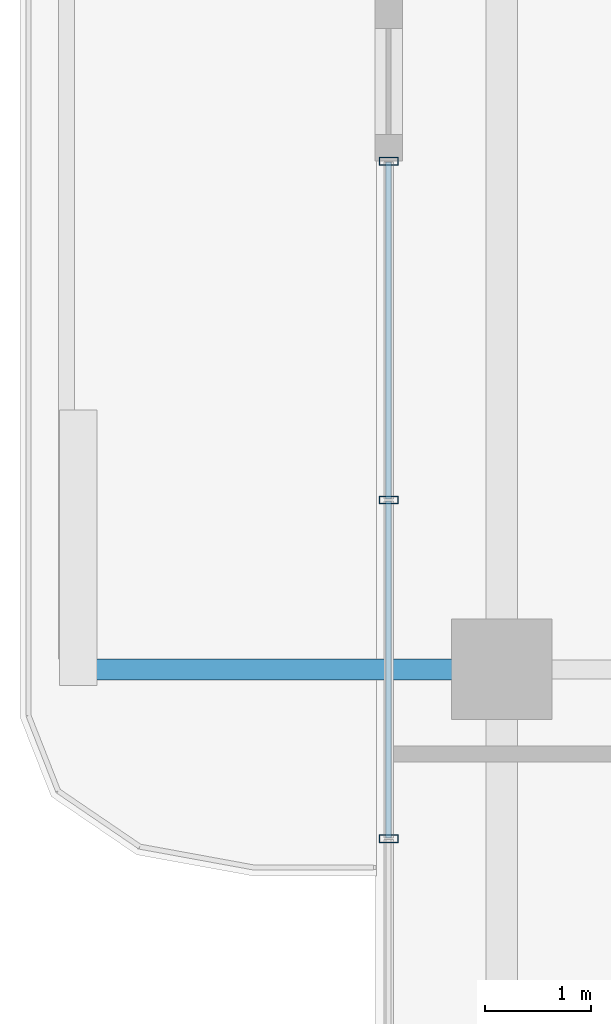
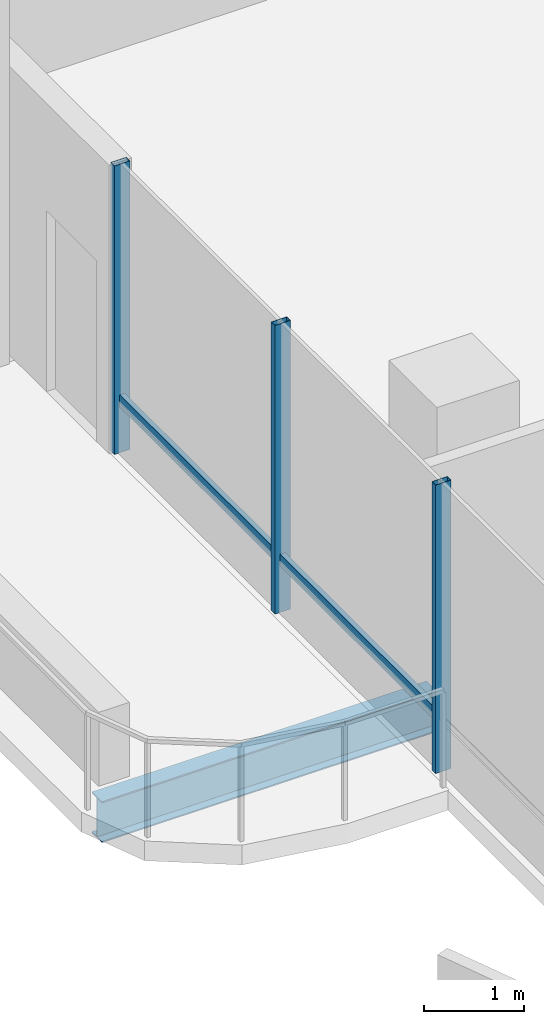
# One storey, part 7 of 20: 5 members, 1 beam, 1 element without a shape of its own.
"""IFC4 building model written with IfcOpenShell, lengths in metres."""

from ifc_helpers import new_model, si_unit, direction, frame, origin, origin_2d, place, context, subcontext, project, spatial, hollow_rectangle, i_section, extrude, material, layer, layer_set, material_profile, profile_set, type_object, element, aggregate, save


model = new_model("IFC4")

# Units and contexts
model_context = context("Model", 3, precision=1e-05, world=origin(), true_north=direction((0.0, 1.0)))
body_context = subcontext(model_context, "Body", "Model", "MODEL_VIEW")
ifc_project = project(units=[si_unit("LENGTHUNIT", "METRE"), si_unit("AREAUNIT", "SQUARE_METRE"), si_unit("VOLUMEUNIT", "CUBIC_METRE"), si_unit("PLANEANGLEUNIT", "RADIAN"), si_unit("MASSUNIT", "GRAM", prefix="KILO")], contexts=[model_context])

# Site, building, storey
site_placement = place(None, origin())
site = spatial("IfcSite", under=ifc_project, at=site_placement, CompositionType="ELEMENT")
building_placement = place(site_placement, origin())
building = spatial("IfcBuilding", under=site, at=building_placement, Name="Belovzor Exchange Tower", CompositionType="ELEMENT")
storey_placement = place(building_placement, frame((0.0, 0.0, 314.25)))
storey = spatial("IfcBuildingStorey", under=building, at=storey_placement, Name="L78", CompositionType="ELEMENT", Elevation=314.25)

# Beam
ifc_material_1 = material(Name="Steel S355", Category="steel")
ifc_material_profile_1 = material_profile(ifc_material_1, i_section(OverallWidth=0.199951171875, OverallDepth=0.5, WebThickness=0.01025390625, FlangeThickness=0.01611328125, at=origin_2d()))
ifc_profile_set_1 = profile_set([ifc_material_profile_1], Name="Steel S355")
beam_type = type_object("IfcBeamType", Name="Planted Balcony Cantilever Beam IPE 500", PredefinedType="BEAM", material=ifc_profile_set_1)
beam_placement = place(storey_placement, frame((6.93896484375, 28.800048828125, -0.489990234375), z_axis=(-1.0, 0.0, 0.0), x_axis=(0.0, -1.0, 0.0)))
element("IfcBeam", 1, at=beam_placement, inside=storey, type_object=beam_type, Name="BC-500 Planted Balcony Cantilever Beam IPE 500", PredefinedType="BEAM", context=body_context, shape_type="SweptSolid", body=[
    extrude(i_section(OverallWidth=0.199951171875, OverallDepth=0.5, WebThickness=0.01025390625, FlangeThickness=0.01611328125, at=origin_2d()), origin(), (0.0, 0.0, 1.0), 3.849853515625),
])

# Curtain wall, members
ifc_material_2 = material(Name="Anodised Aluminium Framing", Category="aluminium")
ifc_layer = layer(ifc_material_2, 0.179931640625)
ifc_layer_set = layer_set([ifc_layer], Name="Anodised Aluminium Framing")
curtain_wall_type = type_object("IfcCurtainWallType", Name="Recessed Loggia Low-Iron Triple-Glazed Curtain Wall", PredefinedType="NOTDEFINED", material=ifc_layer_set)
curtain_wall_placement = place(storey_placement, origin())
curtain_wall = element("IfcCurtainWall", 2, at=curtain_wall_placement, inside=storey, type_object=curtain_wall_type, Name="CW3 Recessed Loggia Low-Iron Triple-Glazed Curtain Wall L78", PredefinedType="NOTDEFINED")
ifc_material_3 = material(Name="Steel S355", Category="steel")
ifc_material_profile_2 = material_profile(ifc_material_3, hollow_rectangle(XDim=0.074951171875, YDim=0.179931640625, WallThickness=0.0048828125, at=origin_2d()))
ifc_profile_set_2 = profile_set([ifc_material_profile_2], Name="Steel S355")
member_type_1 = type_object("IfcMemberType", Name="Thermally Broken Curtain Wall Mullion 180x75", PredefinedType="MULLION", material=ifc_profile_set_2)
member_1_placement = place(storey_placement, frame((6.1298828125, 27.199951171875, 0.0), z_axis=(0.0, 0.0, 1.0), x_axis=(0.0, 1.0, 0.0)))
member_1 = element("IfcMember", 3, at=member_1_placement, type_object=member_type_1, Name="CW-M180 Curtain Wall Mullion 2", PredefinedType="MULLION", context=body_context, shape_type="SweptSolid", body=[
    extrude(hollow_rectangle(XDim=0.074951171875, YDim=0.179931640625, WallThickness=0.0048828125, at=origin_2d()), origin(), (0.0, 0.0, 1.0), 3.510009765625),
])
member_2_placement = place(storey_placement, frame((6.1298828125, 30.39990234375, 0.0), z_axis=(0.0, 0.0, 1.0), x_axis=(0.0, 1.0, 0.0)))
member_2 = element("IfcMember", 4, at=member_2_placement, type_object=member_type_1, Name="CW-M180 Curtain Wall Mullion 3", PredefinedType="MULLION", context=body_context, shape_type="SweptSolid", body=[
    extrude(hollow_rectangle(XDim=0.074951171875, YDim=0.179931640625, WallThickness=0.0048828125, at=origin_2d()), origin(), (0.0, 0.0, 1.0), 3.510009765625),
])
member_3_placement = place(storey_placement, frame((6.1298828125, 33.60009765625, 0.0), z_axis=(0.0, 0.0, 1.0), x_axis=(0.0, 1.0, 0.0)))
member_3 = element("IfcMember", 5, at=member_3_placement, type_object=member_type_1, Name="CW-M180 Curtain Wall Mullion 4", PredefinedType="MULLION", context=body_context, shape_type="SweptSolid", body=[
    extrude(hollow_rectangle(XDim=0.074951171875, YDim=0.179931640625, WallThickness=0.0048828125, at=origin_2d()), origin(), (0.0, 0.0, 1.0), 3.510009765625),
])
ifc_material_4 = material(Name="Steel S355", Category="steel")
ifc_material_profile_3 = material_profile(ifc_material_4, hollow_rectangle(XDim=0.06005859375, YDim=0.14990234375, WallThickness=0.00390625, at=origin_2d()))
ifc_profile_set_3 = profile_set([ifc_material_profile_3], Name="Steel S355")
member_type_2 = type_object("IfcMemberType", Name="Thermally Broken Curtain Wall Transom 150x60", PredefinedType="USERDEFINED", material=ifc_profile_set_3)
member_4_placement = place(storey_placement, frame((6.1298828125, 27.2080078125, 0.632080078125), z_axis=(0.0, 1.0, 0.0), x_axis=(-1.0, 0.0, 0.0)))
member_4 = element("IfcMember", 6, at=member_4_placement, type_object=member_type_2, Name="CW-T150 Curtain Wall Transom 2", ObjectType="TRANSOM", PredefinedType="USERDEFINED", context=body_context, shape_type="SweptSolid", body=[
    extrude(hollow_rectangle(XDim=0.06005859375, YDim=0.14990234375, WallThickness=0.00390625, at=origin_2d()), origin(), (0.0, 0.0, 1.0), 3.18408203125),
])
member_5_placement = place(storey_placement, frame((6.1298828125, 30.407958984375, 0.632080078125), z_axis=(0.0, 1.0, 0.0), x_axis=(-1.0, 0.0, 0.0)))
member_5 = element("IfcMember", 7, at=member_5_placement, type_object=member_type_2, Name="CW-T150 Curtain Wall Transom 3", ObjectType="TRANSOM", PredefinedType="USERDEFINED", context=body_context, shape_type="SweptSolid", body=[
    extrude(hollow_rectangle(XDim=0.06005859375, YDim=0.14990234375, WallThickness=0.00390625, at=origin_2d()), origin(), (0.0, 0.0, 1.0), 3.18408203125),
])
aggregate(curtain_wall, [member_1, member_2, member_3, member_4, member_5])

save(model, "model.ifc")
